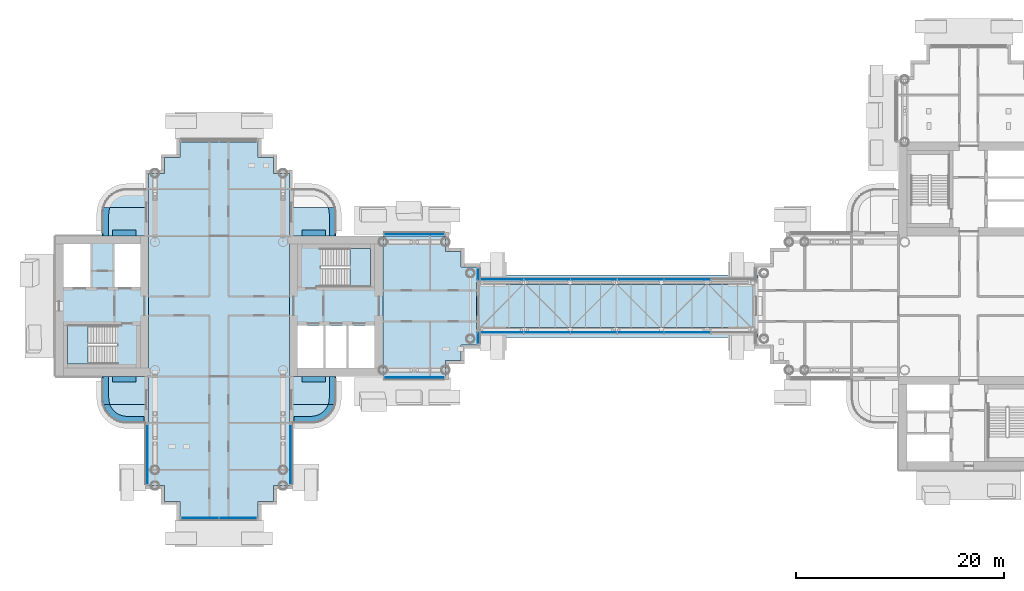
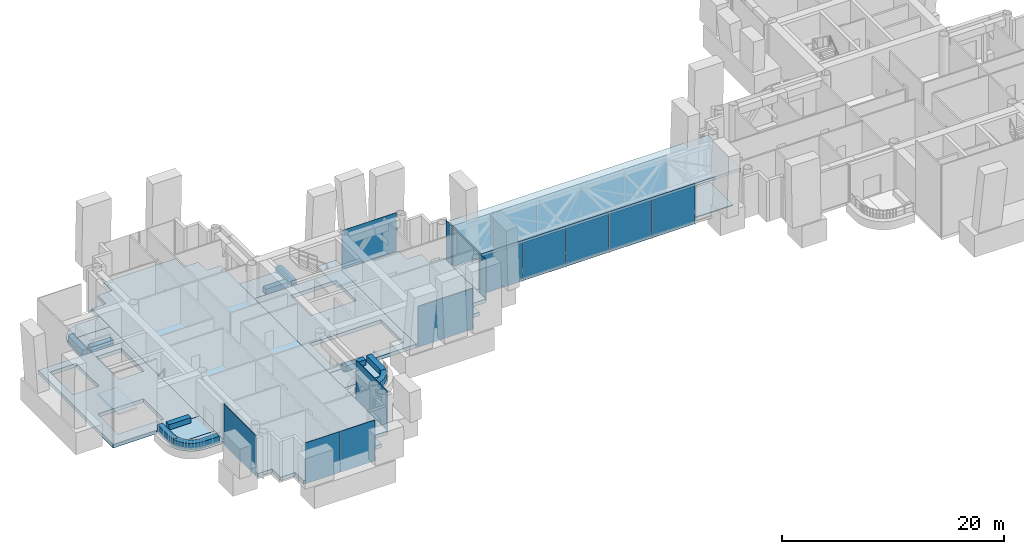
# One storey, part 9 of 26: 25 slabs, 18 plates, 11 elements without a shape of their own.
"""IFC4 building model written with IfcOpenShell, lengths in metres."""

from ifc_helpers import new_model, si_unit, direction, frame, origin, origin_2d, place, context, subcontext, project, spatial, polyline, rectangle, outline, extrude, material, layer, layer_set, type_object, element, aggregate, save


model = new_model("IFC4")

# Units and contexts
model_context = context("Model", 3, precision=1e-05, world=origin(), true_north=direction((0.0, 1.0)))
body_context = subcontext(model_context, "Body", "Model", "MODEL_VIEW")
ifc_project = project(units=[si_unit("LENGTHUNIT", "METRE"), si_unit("AREAUNIT", "SQUARE_METRE"), si_unit("VOLUMEUNIT", "CUBIC_METRE"), si_unit("PLANEANGLEUNIT", "RADIAN"), si_unit("MASSUNIT", "GRAM", prefix="KILO")], contexts=[model_context])

# Site, building, storey
site_placement = place(None, origin())
site = spatial("IfcSite", under=ifc_project, at=site_placement, CompositionType="ELEMENT")
building_placement = place(site_placement, origin())
building = spatial("IfcBuilding", under=site, at=building_placement, Name="Ipe Terrace Towers", CompositionType="ELEMENT")
storey_placement = place(building_placement, frame((0.0, 0.0, 181.300048828125)))
storey = spatial("IfcBuildingStorey", under=building, at=storey_placement, Name="L50", CompositionType="ELEMENT", Elevation=181.300048828125)

# Slabs
ifc_material_1 = material(Name="Concrete C30/37", Category="concrete")
ifc_layer_1 = layer(ifc_material_1, 0.199951171875)
ifc_layer_set_1 = layer_set([ifc_layer_1], Name="BALCONY SLAB 200")
slab_type_1 = type_object("IfcSlabType", Name="BALCONY SLAB 200", PredefinedType="FLOOR", material=ifc_layer_set_1)
slab_1_placement = place(storey_placement, frame((0.0, 0.0, -0.219970703125)))
element("IfcSlab", 1, at=slab_1_placement, inside=storey, type_object=slab_type_1, Name="balcony slab", PredefinedType="FLOOR", context=body_context, shape_type="SweptSolid", body=[
    extrude(outline(polyline([(-47.22900390625, -9.1630859375), (-47.172119140625, -9.449951171875), (-42.75, -9.449951171875), (-42.75, -6.75), (-47.25, -6.75), (-47.25, -8.85009765625), (-47.22900390625, -9.1630859375)])), origin(), (0.0, 0.0, 1.0), 0.199951171875),
])
slab_2_placement = place(storey_placement, frame((0.0, 0.0, -0.219970703125)))
element("IfcSlab", 2, at=slab_2_placement, inside=storey, type_object=slab_type_1, Name="balcony slab", PredefinedType="FLOOR", context=body_context, shape_type="SweptSolid", body=[
    extrude(outline(polyline([(-42.75, -11.25), (-42.75, -9.449951171875), (-47.172119140625, -9.449951171875), (-47.16796875, -9.470947265625), (-47.06689453125, -9.76806640625), (-46.927978515625, -10.050048828125), (-46.75390625, -10.31103515625), (-46.547119140625, -10.547119140625), (-46.31103515625, -10.75390625), (-46.050048828125, -10.927978515625), (-45.76806640625, -11.06689453125), (-45.470947265625, -11.16796875), (-45.1630859375, -11.22900390625), (-44.85009765625, -11.25), (-42.75, -11.25)])), origin(), (0.0, 0.0, 1.0), 0.199951171875),
])
slab_3_placement = place(storey_placement, frame((0.0, 0.0, -0.219970703125)))
element("IfcSlab", 3, at=slab_3_placement, inside=storey, type_object=slab_type_1, Name="balcony slab", PredefinedType="FLOOR", context=body_context, shape_type="SweptSolid", body=[
    extrude(outline(polyline([(-47.22900390625, 9.1630859375), (-47.25, 8.85009765625), (-47.25, 6.75), (-42.75, 6.75), (-42.75, 9.449951171875), (-47.172119140625, 9.449951171875), (-47.22900390625, 9.1630859375)])), origin(), (0.0, 0.0, 1.0), 0.199951171875),
])
slab_4_placement = place(storey_placement, frame((0.0, 0.0, -0.219970703125)))
element("IfcSlab", 4, at=slab_4_placement, inside=storey, type_object=slab_type_1, Name="balcony slab", PredefinedType="FLOOR", context=body_context, shape_type="SweptSolid", body=[
    extrude(outline(polyline([(-42.75, 11.25), (-44.85009765625, 11.25), (-45.1630859375, 11.22900390625), (-45.470947265625, 11.16796875), (-45.76806640625, 11.06689453125), (-46.050048828125, 10.927978515625), (-46.31103515625, 10.75390625), (-46.547119140625, 10.547119140625), (-46.75390625, 10.31103515625), (-46.927978515625, 10.050048828125), (-47.06689453125, 9.76806640625), (-47.16796875, 9.470947265625), (-47.172119140625, 9.449951171875), (-42.75, 9.449951171875), (-42.75, 11.25)])), origin(), (0.0, 0.0, 1.0), 0.199951171875),
])
slab_5_placement = place(storey_placement, frame((0.0, 0.0, -0.219970703125)))
element("IfcSlab", 5, at=slab_5_placement, inside=storey, type_object=slab_type_1, Name="balcony slab", PredefinedType="FLOOR", context=body_context, shape_type="SweptSolid", body=[
    extrude(outline(polyline([(-24.77099609375, -9.1630859375), (-24.75, -8.85009765625), (-24.75, -6.75), (-29.25, -6.75), (-29.25, -9.449951171875), (-24.827880859375, -9.449951171875), (-24.77099609375, -9.1630859375)])), origin(), (0.0, 0.0, 1.0), 0.199951171875),
])
slab_6_placement = place(storey_placement, frame((0.0, 0.0, -0.219970703125)))
element("IfcSlab", 6, at=slab_6_placement, inside=storey, type_object=slab_type_1, Name="balcony slab", PredefinedType="FLOOR", context=body_context, shape_type="SweptSolid", body=[
    extrude(outline(polyline([(-29.25, -11.25), (-27.14990234375, -11.25), (-26.8369140625, -11.22900390625), (-26.529052734375, -11.16796875), (-26.23193359375, -11.06689453125), (-25.949951171875, -10.927978515625), (-25.68896484375, -10.75390625), (-25.452880859375, -10.547119140625), (-25.24609375, -10.31103515625), (-25.072021484375, -10.050048828125), (-24.93310546875, -9.76806640625), (-24.83203125, -9.470947265625), (-24.827880859375, -9.449951171875), (-29.25, -9.449951171875), (-29.25, -11.25)])), origin(), (0.0, 0.0, 1.0), 0.199951171875),
])
slab_7_placement = place(storey_placement, frame((0.0, 0.0, -0.219970703125)))
element("IfcSlab", 7, at=slab_7_placement, inside=storey, type_object=slab_type_1, Name="balcony slab", PredefinedType="FLOOR", context=body_context, shape_type="SweptSolid", body=[
    extrude(outline(polyline([(-24.77099609375, 9.1630859375), (-24.827880859375, 9.449951171875), (-29.25, 9.449951171875), (-29.25, 6.75), (-24.75, 6.75), (-24.75, 8.85009765625), (-24.77099609375, 9.1630859375)])), origin(), (0.0, 0.0, 1.0), 0.199951171875),
])

# Curtain wall, plates
ifc_material_2 = material(Name="Aluminium alloy 6063-T6", Category="aluminium")
ifc_layer_2 = layer(ifc_material_2, 0.300048828125)
ifc_layer_set_2 = layer_set([ifc_layer_2], Name="BRIDGE ENCLOSURE CURTAIN WALL")
curtain_wall_type_1 = type_object("IfcCurtainWallType", Name="BRIDGE ENCLOSURE CURTAIN WALL", PredefinedType="NOTDEFINED", material=ifc_layer_set_2)
curtain_wall_1_placement = place(storey_placement, origin())
curtain_wall_1 = element("IfcCurtainWall", 8, at=curtain_wall_1_placement, inside=storey, type_object=curtain_wall_type_1, Name="BR3-CW1 curtain wall", PredefinedType="NOTDEFINED")
ifc_material_3 = material(Name="Glass, clear laminated", Category="glass")
ifc_layer_3 = layer(ifc_material_3, 0.035888671875)
ifc_layer_set_3 = layer_set([ifc_layer_3], Name="BRIDGE ENCLOSURE GLASS PANEL 36")
plate_type_1 = type_object("IfcPlateType", Name="BRIDGE ENCLOSURE GLASS PANEL 36", PredefinedType="CURTAIN_PANEL", material=ifc_layer_set_3)
plate_1_placement = place(storey_placement, frame((8.982421875, 2.544921875, -0.300048828125), z_axis=(0.0, 0.0, 1.0), x_axis=(-1.0, 0.0, 0.0)))
plate_1 = element("IfcPlate", 9, at=plate_1_placement, type_object=plate_type_1, Name="BR3-CW1 panel 2", PredefinedType="CURTAIN_PANEL", context=body_context, shape_type="SweptSolid", body=[
    extrude(rectangle(XDim=4.418212890625, YDim=0.035888671875, at=origin_2d()), origin(), (0.0, 0.0, 1.0), 4.5),
])
plate_2_placement = place(storey_placement, frame((4.494140625, 2.544921875, -0.300048828125), z_axis=(0.0, 0.0, 1.0), x_axis=(-1.0, 0.0, 0.0)))
plate_2 = element("IfcPlate", 10, at=plate_2_placement, type_object=plate_type_1, Name="BR3-CW1 panel 3", PredefinedType="CURTAIN_PANEL", context=body_context, shape_type="SweptSolid", body=[
    extrude(rectangle(XDim=4.418212890625, YDim=0.035888671875, at=origin_2d()), origin(), (0.0, 0.0, 1.0), 4.5),
])
plate_3_placement = place(storey_placement, frame((0.005859375, 2.544921875, -0.300048828125), z_axis=(0.0, 0.0, 1.0), x_axis=(-1.0, 0.0, 0.0)))
plate_3 = element("IfcPlate", 11, at=plate_3_placement, type_object=plate_type_1, Name="BR3-CW1 panel 4", PredefinedType="CURTAIN_PANEL", context=body_context, shape_type="SweptSolid", body=[
    extrude(rectangle(XDim=4.418212890625, YDim=0.035888671875, at=origin_2d()), origin(), (0.0, 0.0, 1.0), 4.5),
])
plate_4_placement = place(storey_placement, frame((-4.482421875, 2.544921875, -0.300048828125), z_axis=(0.0, 0.0, 1.0), x_axis=(-1.0, 0.0, 0.0)))
plate_4 = element("IfcPlate", 12, at=plate_4_placement, type_object=plate_type_1, Name="BR3-CW1 panel 5", PredefinedType="CURTAIN_PANEL", context=body_context, shape_type="SweptSolid", body=[
    extrude(rectangle(XDim=4.418212890625, YDim=0.035888671875, at=origin_2d()), origin(), (0.0, 0.0, 1.0), 4.5),
])
plate_5_placement = place(storey_placement, frame((-8.970947265625, 2.544921875, -0.300048828125), z_axis=(0.0, 0.0, 1.0), x_axis=(-1.0, 0.0, 0.0)))
plate_5 = element("IfcPlate", 13, at=plate_5_placement, type_object=plate_type_1, Name="BR3-CW1 panel 6", PredefinedType="CURTAIN_PANEL", context=body_context, shape_type="SweptSolid", body=[
    extrude(rectangle(XDim=4.418212890625, YDim=0.035888671875, at=origin_2d()), origin(), (0.0, 0.0, 1.0), 4.5),
])
aggregate(curtain_wall_1, [plate_1, plate_2, plate_3, plate_4, plate_5])

curtain_wall_2_placement = place(storey_placement, origin())
curtain_wall_2 = element("IfcCurtainWall", 14, at=curtain_wall_2_placement, inside=storey, type_object=curtain_wall_type_1, Name="BR3-CW2 curtain wall", PredefinedType="NOTDEFINED")
plate_6_placement = place(storey_placement, frame((-8.970947265625, -2.544921875, -0.300048828125), z_axis=(0.0, 0.0, 1.0), x_axis=(1.0, 0.0, 0.0)))
plate_6 = element("IfcPlate", 15, at=plate_6_placement, type_object=plate_type_1, Name="BR3-CW2 panel 1", PredefinedType="CURTAIN_PANEL", context=body_context, shape_type="SweptSolid", body=[
    extrude(rectangle(XDim=4.418212890625, YDim=0.035888671875, at=origin_2d()), origin(), (0.0, 0.0, 1.0), 4.5),
])
plate_7_placement = place(storey_placement, frame((-4.482421875, -2.544921875, -0.300048828125), z_axis=(0.0, 0.0, 1.0), x_axis=(1.0, 0.0, 0.0)))
plate_7 = element("IfcPlate", 16, at=plate_7_placement, type_object=plate_type_1, Name="BR3-CW2 panel 2", PredefinedType="CURTAIN_PANEL", context=body_context, shape_type="SweptSolid", body=[
    extrude(rectangle(XDim=4.418212890625, YDim=0.035888671875, at=origin_2d()), origin(), (0.0, 0.0, 1.0), 4.5),
])
plate_8_placement = place(storey_placement, frame((0.005859375, -2.544921875, -0.300048828125), z_axis=(0.0, 0.0, 1.0), x_axis=(1.0, 0.0, 0.0)))
plate_8 = element("IfcPlate", 17, at=plate_8_placement, type_object=plate_type_1, Name="BR3-CW2 panel 3", PredefinedType="CURTAIN_PANEL", context=body_context, shape_type="SweptSolid", body=[
    extrude(rectangle(XDim=4.418212890625, YDim=0.035888671875, at=origin_2d()), origin(), (0.0, 0.0, 1.0), 4.5),
])
plate_9_placement = place(storey_placement, frame((4.494140625, -2.544921875, -0.300048828125), z_axis=(0.0, 0.0, 1.0), x_axis=(1.0, 0.0, 0.0)))
plate_9 = element("IfcPlate", 18, at=plate_9_placement, type_object=plate_type_1, Name="BR3-CW2 panel 4", PredefinedType="CURTAIN_PANEL", context=body_context, shape_type="SweptSolid", body=[
    extrude(rectangle(XDim=4.418212890625, YDim=0.035888671875, at=origin_2d()), origin(), (0.0, 0.0, 1.0), 4.5),
])
plate_10_placement = place(storey_placement, frame((8.982421875, -2.544921875, -0.300048828125), z_axis=(0.0, 0.0, 1.0), x_axis=(1.0, 0.0, 0.0)))
plate_10 = element("IfcPlate", 19, at=plate_10_placement, type_object=plate_type_1, Name="BR3-CW2 panel 5", PredefinedType="CURTAIN_PANEL", context=body_context, shape_type="SweptSolid", body=[
    extrude(rectangle(XDim=4.418212890625, YDim=0.035888671875, at=origin_2d()), origin(), (0.0, 0.0, 1.0), 4.5),
])
aggregate(curtain_wall_2, [plate_6, plate_7, plate_8, plate_9, plate_10])

# Slabs
ifc_material_4 = material(Name="Concrete C30/37", Category="concrete")
ifc_layer_4 = layer(ifc_material_4, 0.300048828125)
ifc_layer_set_4 = layer_set([ifc_layer_4], Name="BRIDGE ROOF SLAB 300")
slab_type_2 = type_object("IfcSlabType", Name="BRIDGE ROOF SLAB 300", PredefinedType="ROOF", material=ifc_layer_set_4)
slab_8_placement = place(storey_placement, frame((0.0, 0.0, 4.199951171875)))
element("IfcSlab", 20, at=slab_8_placement, inside=storey, type_object=slab_type_2, Name="BR3 roof slab", PredefinedType="ROOF", context=body_context, shape_type="SweptSolid", body=[
    extrude(outline(polyline([(-11.25, -3.0), (15.75, -3.0), (15.75, 3.0), (-11.25, 3.0), (-11.25, -3.0)])), origin(), (0.0, 0.0, 1.0), 0.300048828125),
])
ifc_material_5 = material(Name="Concrete C30/37", Category="concrete")
ifc_layer_5 = layer(ifc_material_5, 0.1201171875)
ifc_layer_set_5 = layer_set([ifc_layer_5], Name="BRIDGE-DECK SLAB 120")
slab_type_3 = type_object("IfcSlabType", Name="BRIDGE-DECK SLAB 120", PredefinedType="FLOOR", material=ifc_layer_set_5)
slab_9_placement = place(storey_placement, frame((0.0, 0.0, -0.1201171875)))
element("IfcSlab", 21, at=slab_9_placement, inside=storey, type_object=slab_type_3, Name="BR3-DS bridge deck", PredefinedType="FLOOR", context=body_context, shape_type="SweptSolid", body=[
    extrude(outline(polyline([(-11.25, -2.050048828125), (15.449951171875, -2.050048828125), (15.449951171875, 2.050048828125), (-11.25, 2.050048828125), (-11.25, -2.050048828125)])), origin(), (0.0, 0.0, 1.0), 0.1201171875),
])
ifc_material_6 = material(Name="Concrete C30/37", Category="concrete")
ifc_layer_6 = layer(ifc_material_6, 0.39990234375)
ifc_layer_set_6 = layer_set([ifc_layer_6], Name="CORE FLOOR SLAB 400 C30-37")
slab_type_4 = type_object("IfcSlabType", Name="CORE FLOOR SLAB 400 C30-37", PredefinedType="FLOOR", material=ifc_layer_set_6)
slab_10_placement = place(storey_placement, frame((0.0, 0.0, -0.400146484375)))
element("IfcSlab", 22, at=slab_10_placement, inside=storey, type_object=slab_type_4, Name="Core floor T1-C1", PredefinedType="FLOOR", context=body_context, shape_type="SweptSolid", body=[
    extrude(outline(polyline([(-29.25, -6.75), (-29.25, 6.75), (-20.25, 6.75), (-20.25, -6.75), (-29.25, -6.75)]), holes=[polyline([(-28.449951171875, -5.949951171875), (-21.050048828125, -5.949951171875), (-21.050048828125, -1.85009765625), (-28.449951171875, -1.85009765625), (-28.449951171875, -5.949951171875)]), polyline([(-26.199951171875, 5.550048828125), (-26.199951171875, 1.89990234375), (-21.449951171875, 1.89990234375), (-21.449951171875, 5.550048828125), (-26.199951171875, 5.550048828125)])]), origin(), (0.0, 0.0, 1.0), 0.400146484375),
])
slab_11_placement = place(storey_placement, frame((0.0, 0.0, -0.400146484375)))
element("IfcSlab", 23, at=slab_11_placement, inside=storey, type_object=slab_type_4, Name="Core floor T1-C2", PredefinedType="FLOOR", context=body_context, shape_type="SweptSolid", body=[
    extrude(outline(polyline([(-51.75, -6.75), (-51.75, 6.75), (-42.75, 6.75), (-42.75, -6.75), (-51.75, -6.75)]), holes=[polyline([(-45.800048828125, -1.89990234375), (-50.550048828125, -1.89990234375), (-50.550048828125, -5.550048828125), (-45.800048828125, -5.550048828125), (-45.800048828125, -1.89990234375)]), polyline([(-48.25, 1.85009765625), (-48.25, 5.949951171875), (-50.949951171875, 5.949951171875), (-50.949951171875, 1.85009765625), (-48.25, 1.85009765625)]), polyline([(-43.550048828125, 1.85009765625), (-43.550048828125, 5.949951171875), (-46.14990234375, 5.949951171875), (-46.14990234375, 1.85009765625), (-43.550048828125, 1.85009765625)])]), origin(), (0.0, 0.0, 1.0), 0.400146484375),
])

# Stair, slab
ifc_material_7 = material(Name="Concrete C30/37", Category="concrete")
stair_type = type_object("IfcStairType", Name="Protected exit stair", PredefinedType="HALF_TURN_STAIR", material=ifc_material_7)
stair_1_placement = place(storey_placement, origin())
stair_1 = element("IfcStair", 24, at=stair_1_placement, inside=storey, type_object=stair_type, Name="L50 Exit stair T1-C1", PredefinedType="HALF_TURN_STAIR")
ifc_material_8 = material(Name="Concrete C30/37", Category="concrete")
ifc_layer_7 = layer(ifc_material_8, 0.199951171875)
ifc_layer_set_7 = layer_set([ifc_layer_7], Name="Exit stair landing 200")
slab_type_5 = type_object("IfcSlabType", Name="Exit stair landing 200", PredefinedType="LANDING", material=ifc_layer_set_7)
slab_12_placement = place(storey_placement, frame((0.0, 0.0, 2.050048828125)))
slab_12 = element("IfcSlab", 25, at=slab_12_placement, type_object=slab_type_5, Name="T1-ST1 landing 1", PredefinedType="LANDING", context=body_context, shape_type="SweptSolid", body=[
    extrude(outline(polyline([(-23.43994140625, 1.89990234375), (-21.449951171875, 1.89990234375), (-21.449951171875, 5.550048828125), (-23.43994140625, 5.550048828125), (-23.43994140625, 1.89990234375)])), origin(), (0.0, 0.0, 1.0), 0.199951171875),
])
aggregate(stair_1, [slab_12])

stair_2_placement = place(storey_placement, origin())
stair_2 = element("IfcStair", 26, at=stair_2_placement, inside=storey, type_object=stair_type, Name="L50 Exit stair T1-C2", PredefinedType="HALF_TURN_STAIR")
slab_13_placement = place(storey_placement, frame((0.0, 0.0, 2.050048828125)))
slab_13 = element("IfcSlab", 27, at=slab_13_placement, type_object=slab_type_5, Name="T1-ST2 landing 1", PredefinedType="LANDING", context=body_context, shape_type="SweptSolid", body=[
    extrude(outline(polyline([(-48.56005859375, -1.89990234375), (-50.550048828125, -1.89990234375), (-50.550048828125, -5.550048828125), (-48.56005859375, -5.550048828125), (-48.56005859375, -1.89990234375)])), origin(), (0.0, 0.0, 1.0), 0.199951171875),
])
aggregate(stair_2, [slab_13])

# Slabs
ifc_material_9 = material(Name="Concrete C40/50", Category="concrete")
ifc_layer_8 = layer(ifc_material_9, 0.39990234375)
ifc_layer_set_8 = layer_set([ifc_layer_8], Name="FLAT PLATE SLAB 400 C40-50")
slab_type_6 = type_object("IfcSlabType", Name="FLAT PLATE SLAB 400 C40-50", PredefinedType="FLOOR", material=ifc_layer_set_8)
slab_14_placement = place(storey_placement, frame((0.0, 0.0, -0.400146484375)))
element("IfcSlab", 28, at=slab_14_placement, inside=storey, type_object=slab_type_6, Name="Slab T1-FS-Z31", PredefinedType="FLOOR", context=body_context, shape_type="SweptSolid", body=[
    extrude(outline(polyline([(-30.75, -17.25), (-30.75, -18.75), (-32.25, -18.75), (-32.25, -20.25), (-39.75, -20.25), (-39.75, -18.75), (-41.25, -18.75), (-41.25, -17.25), (-42.75, -17.25), (-42.75, -6.75), (-42.75, 6.75), (-42.75, 12.75), (-41.25, 12.75), (-41.25, 14.25), (-39.75, 14.25), (-39.75, 15.75), (-32.25, 15.75), (-32.25, 14.25), (-30.75, 14.25), (-30.75, 12.75), (-29.25, 12.75), (-29.25, 6.75), (-29.25, -6.75), (-29.25, -17.25), (-30.75, -17.25)])), origin(), (0.0, 0.0, 1.0), 0.400146484375),
])
slab_15_placement = place(storey_placement, frame((0.0, 0.0, -0.400146484375)))
element("IfcSlab", 29, at=slab_15_placement, inside=storey, type_object=slab_type_6, Name="Slab T1-FS-Z32", PredefinedType="FLOOR", context=body_context, shape_type="SweptSolid", body=[
    extrude(outline(polyline([(-14.25, 5.25), (-12.75, 5.25), (-12.75, 3.75), (-11.25, 3.75), (-11.25, -3.75), (-12.75, -3.75), (-12.75, -5.25), (-14.25, -5.25), (-14.25, -6.75), (-20.25, -6.75), (-20.25, 6.75), (-14.25, 6.75), (-14.25, 5.25)])), origin(), (0.0, 0.0, 1.0), 0.400146484375),
])
ifc_material_10 = material(Name="Concrete C30/37", Category="concrete")
ifc_layer_9 = layer(ifc_material_10, 0.60009765625)
ifc_layer_set_9 = layer_set([ifc_layer_9], Name="PLANTER TROUGH 550 x 600")
slab_type_7 = type_object("IfcSlabType", Name="PLANTER TROUGH 550 x 600", PredefinedType="USERDEFINED", material=ifc_layer_set_9)
slab_16_placement = place(storey_placement, frame((0.0, 0.0, -0.02001953125)))
element("IfcSlab", 30, at=slab_16_placement, inside=storey, type_object=slab_type_7, Name="planter", ObjectType="PLANTER", PredefinedType="USERDEFINED", context=body_context, shape_type="SweptSolid", body=[
    extrude(outline(polyline([(-46.529052734375, -9.300048828125), (-46.573974609375, -9.076904296875), (-46.590087890625, -8.827880859375), (-46.590087890625, -6.75), (-47.139892578125, -6.75), (-47.139892578125, -8.8369140625), (-47.138916015625, -8.85498046875), (-47.12109375, -9.131103515625), (-47.116943359375, -9.1669921875), (-47.06494140625, -9.425048828125), (-47.05908203125, -9.449951171875), (-46.47802734375, -9.449951171875), (-46.529052734375, -9.300048828125)])), origin(), (0.0, 0.0, 1.0), 0.599853515625),
])
slab_17_placement = place(storey_placement, frame((0.0, 0.0, -0.02001953125)))
element("IfcSlab", 31, at=slab_17_placement, inside=storey, type_object=slab_type_7, Name="planter", ObjectType="PLANTER", PredefinedType="USERDEFINED", context=body_context, shape_type="SweptSolid", body=[
    extrude(outline(polyline([(-46.4560546875, -9.514892578125), (-46.47802734375, -9.449951171875), (-47.05908203125, -9.449951171875), (-47.055908203125, -9.4599609375), (-46.970947265625, -9.708984375), (-46.95703125, -9.741943359375), (-46.841064453125, -9.97900390625), (-46.822998046875, -10.010009765625), (-46.677001953125, -10.22900390625), (-46.655029296875, -10.257080078125), (-46.48095703125, -10.4560546875), (-46.4560546875, -10.48095703125), (-46.257080078125, -10.655029296875), (-46.22900390625, -10.677001953125), (-46.010009765625, -10.822998046875), (-45.97900390625, -10.841064453125), (-45.741943359375, -10.95703125), (-45.708984375, -10.970947265625), (-45.4599609375, -11.055908203125), (-45.425048828125, -11.06494140625), (-45.1669921875, -11.116943359375), (-45.131103515625, -11.12109375), (-44.85498046875, -11.138916015625), (-44.8369140625, -11.139892578125), (-43.199951171875, -11.139892578125), (-43.199951171875, -10.590087890625), (-44.827880859375, -10.590087890625), (-45.076904296875, -10.573974609375), (-45.300048828125, -10.529052734375), (-45.514892578125, -10.4560546875), (-45.718994140625, -10.35595703125), (-45.907958984375, -10.22900390625), (-46.0791015625, -10.0791015625), (-46.22900390625, -9.907958984375), (-46.35595703125, -9.718994140625), (-46.4560546875, -9.514892578125)])), origin(), (0.0, 0.0, 1.0), 0.599853515625),
])
slab_18_placement = place(storey_placement, frame((0.0, 0.0, -0.02001953125)))
element("IfcSlab", 32, at=slab_18_placement, inside=storey, type_object=slab_type_7, Name="planter", ObjectType="PLANTER", PredefinedType="USERDEFINED", context=body_context, shape_type="SweptSolid", body=[
    extrude(outline(polyline([(-43.949951171875, -6.75), (-46.25, -6.75), (-46.25, -7.300048828125), (-43.949951171875, -7.300048828125), (-43.949951171875, -6.75)])), origin(), (0.0, 0.0, 1.0), 0.599853515625),
])
slab_19_placement = place(storey_placement, frame((0.0, 0.0, -0.02001953125)))
element("IfcSlab", 33, at=slab_19_placement, inside=storey, type_object=slab_type_7, Name="planter", ObjectType="PLANTER", PredefinedType="USERDEFINED", context=body_context, shape_type="SweptSolid", body=[
    extrude(outline(polyline([(-46.529052734375, 9.300048828125), (-46.47802734375, 9.449951171875), (-47.05908203125, 9.449951171875), (-47.06494140625, 9.425048828125), (-47.116943359375, 9.1669921875), (-47.12109375, 9.131103515625), (-47.138916015625, 8.85498046875), (-47.139892578125, 8.8369140625), (-47.139892578125, 6.75), (-46.590087890625, 6.75), (-46.590087890625, 8.827880859375), (-46.573974609375, 9.076904296875), (-46.529052734375, 9.300048828125)])), origin(), (0.0, 0.0, 1.0), 0.599853515625),
])
slab_20_placement = place(storey_placement, frame((0.0, 0.0, -0.02001953125)))
element("IfcSlab", 34, at=slab_20_placement, inside=storey, type_object=slab_type_7, Name="planter", ObjectType="PLANTER", PredefinedType="USERDEFINED", context=body_context, shape_type="SweptSolid", body=[
    extrude(outline(polyline([(-43.949951171875, 6.75), (-43.949951171875, 7.300048828125), (-46.25, 7.300048828125), (-46.25, 6.75), (-43.949951171875, 6.75)])), origin(), (0.0, 0.0, 1.0), 0.599853515625),
])
slab_21_placement = place(storey_placement, frame((0.0, 0.0, -0.02001953125)))
element("IfcSlab", 35, at=slab_21_placement, inside=storey, type_object=slab_type_7, Name="planter", ObjectType="PLANTER", PredefinedType="USERDEFINED", context=body_context, shape_type="SweptSolid", body=[
    extrude(outline(polyline([(-25.470947265625, -9.300048828125), (-25.52197265625, -9.449951171875), (-24.94091796875, -9.449951171875), (-24.93505859375, -9.425048828125), (-24.883056640625, -9.1669921875), (-24.87890625, -9.131103515625), (-24.861083984375, -8.85498046875), (-24.860107421875, -8.8369140625), (-24.860107421875, -6.75), (-25.409912109375, -6.75), (-25.409912109375, -8.827880859375), (-25.426025390625, -9.076904296875), (-25.470947265625, -9.300048828125)])), origin(), (0.0, 0.0, 1.0), 0.599853515625),
])
slab_22_placement = place(storey_placement, frame((0.0, 0.0, -0.02001953125)))
element("IfcSlab", 36, at=slab_22_placement, inside=storey, type_object=slab_type_7, Name="planter", ObjectType="PLANTER", PredefinedType="USERDEFINED", context=body_context, shape_type="SweptSolid", body=[
    extrude(outline(polyline([(-25.5439453125, -9.514892578125), (-25.64404296875, -9.718994140625), (-25.77099609375, -9.907958984375), (-25.9208984375, -10.0791015625), (-26.092041015625, -10.22900390625), (-26.281005859375, -10.35595703125), (-26.485107421875, -10.4560546875), (-26.699951171875, -10.529052734375), (-26.923095703125, -10.573974609375), (-27.172119140625, -10.590087890625), (-28.800048828125, -10.590087890625), (-28.800048828125, -11.139892578125), (-27.1630859375, -11.139892578125), (-27.14501953125, -11.138916015625), (-26.868896484375, -11.12109375), (-26.8330078125, -11.116943359375), (-26.574951171875, -11.06494140625), (-26.5400390625, -11.055908203125), (-26.291015625, -10.970947265625), (-26.258056640625, -10.95703125), (-26.02099609375, -10.841064453125), (-25.989990234375, -10.822998046875), (-25.77099609375, -10.677001953125), (-25.742919921875, -10.655029296875), (-25.5439453125, -10.48095703125), (-25.51904296875, -10.4560546875), (-25.344970703125, -10.257080078125), (-25.322998046875, -10.22900390625), (-25.177001953125, -10.010009765625), (-25.158935546875, -9.97900390625), (-25.04296875, -9.741943359375), (-25.029052734375, -9.708984375), (-24.944091796875, -9.4599609375), (-24.94091796875, -9.449951171875), (-25.52197265625, -9.449951171875), (-25.5439453125, -9.514892578125)])), origin(), (0.0, 0.0, 1.0), 0.599853515625),
])
slab_23_placement = place(storey_placement, frame((0.0, 0.0, -0.02001953125)))
element("IfcSlab", 37, at=slab_23_placement, inside=storey, type_object=slab_type_7, Name="planter", ObjectType="PLANTER", PredefinedType="USERDEFINED", context=body_context, shape_type="SweptSolid", body=[
    extrude(outline(polyline([(-28.050048828125, -6.75), (-28.050048828125, -7.300048828125), (-25.75, -7.300048828125), (-25.75, -6.75), (-28.050048828125, -6.75)])), origin(), (0.0, 0.0, 1.0), 0.599853515625),
])
slab_24_placement = place(storey_placement, frame((0.0, 0.0, -0.02001953125)))
element("IfcSlab", 38, at=slab_24_placement, inside=storey, type_object=slab_type_7, Name="planter", ObjectType="PLANTER", PredefinedType="USERDEFINED", context=body_context, shape_type="SweptSolid", body=[
    extrude(outline(polyline([(-25.470947265625, 9.300048828125), (-25.426025390625, 9.076904296875), (-25.409912109375, 8.827880859375), (-25.409912109375, 6.75), (-24.860107421875, 6.75), (-24.860107421875, 8.8369140625), (-24.861083984375, 8.85498046875), (-24.87890625, 9.131103515625), (-24.883056640625, 9.1669921875), (-24.93505859375, 9.425048828125), (-24.94091796875, 9.449951171875), (-25.52197265625, 9.449951171875), (-25.470947265625, 9.300048828125)])), origin(), (0.0, 0.0, 1.0), 0.599853515625),
])
slab_25_placement = place(storey_placement, frame((0.0, 0.0, -0.02001953125)))
element("IfcSlab", 39, at=slab_25_placement, inside=storey, type_object=slab_type_7, Name="planter", ObjectType="PLANTER", PredefinedType="USERDEFINED", context=body_context, shape_type="SweptSolid", body=[
    extrude(outline(polyline([(-28.050048828125, 6.75), (-25.75, 6.75), (-25.75, 7.300048828125), (-28.050048828125, 7.300048828125), (-28.050048828125, 6.75)])), origin(), (0.0, 0.0, 1.0), 0.599853515625),
])

# Curtain wall, plates
ifc_material_11 = material(Name="Aluminium alloy 6063-T6", Category="aluminium")
ifc_layer_10 = layer(ifc_material_11, 0.320068359375)
ifc_layer_set_10 = layer_set([ifc_layer_10], Name="REFUGE FLOOR CURTAIN WALL")
curtain_wall_type_2 = type_object("IfcCurtainWallType", Name="REFUGE FLOOR CURTAIN WALL", PredefinedType="NOTDEFINED", material=ifc_layer_set_10)
curtain_wall_3_placement = place(storey_placement, origin())
curtain_wall_3 = element("IfcCurtainWall", 40, at=curtain_wall_3_placement, inside=storey, type_object=curtain_wall_type_2, Name="T1-CW-L50-08a curtain wall", PredefinedType="NOTDEFINED")
ifc_material_12 = material(Name="Glass, clear laminated", Category="glass")
ifc_layer_11 = layer(ifc_material_12, 0.035888671875)
ifc_layer_set_11 = layer_set([ifc_layer_11], Name="REFUGE FLOOR GLASS PANEL 36")
plate_type_2 = type_object("IfcPlateType", Name="REFUGE FLOOR GLASS PANEL 36", PredefinedType="CURTAIN_PANEL", material=ifc_layer_set_11)
plate_11_placement = place(storey_placement, frame((-37.82373046875, -20.3701171875, -0.300048828125), z_axis=(0.0, 0.0, 1.0), x_axis=(1.0, 0.0, 0.0)))
plate_11 = element("IfcPlate", 41, at=plate_11_placement, type_object=plate_type_2, Name="T1-CW-L50-08a panel 1", PredefinedType="CURTAIN_PANEL", context=body_context, shape_type="SweptSolid", body=[
    extrude(rectangle(XDim=3.572509765625, YDim=0.035888671875, at=origin_2d()), origin(), (0.0, 0.0, 1.0), 4.5),
])
plate_12_placement = place(storey_placement, frame((-34.17626953125, -20.3701171875, -0.300048828125), z_axis=(0.0, 0.0, 1.0), x_axis=(1.0, 0.0, 0.0)))
plate_12 = element("IfcPlate", 42, at=plate_12_placement, type_object=plate_type_2, Name="T1-CW-L50-08a panel 2", PredefinedType="CURTAIN_PANEL", context=body_context, shape_type="SweptSolid", body=[
    extrude(rectangle(XDim=3.572509765625, YDim=0.035888671875, at=origin_2d()), origin(), (0.0, 0.0, 1.0), 4.5),
])
aggregate(curtain_wall_3, [plate_11, plate_12])

# Curtain wall, plate
curtain_wall_4_placement = place(storey_placement, origin())
curtain_wall_4 = element("IfcCurtainWall", 43, at=curtain_wall_4_placement, inside=storey, type_object=curtain_wall_type_2, Name="T1-CW-L50-21a curtain wall", PredefinedType="NOTDEFINED")
plate_13_placement = place(storey_placement, frame((-11.1298828125, -3.0, -0.300048828125), z_axis=(0.0, 0.0, 1.0), x_axis=(0.0, 1.0, 0.0)))
plate_13 = element("IfcPlate", 44, at=plate_13_placement, type_object=plate_type_2, Name="T1-CW-L50-21a panel 1", PredefinedType="CURTAIN_PANEL", context=body_context, shape_type="SweptSolid", body=[
    extrude(rectangle(XDim=1.219970703125, YDim=0.035888671875, at=origin_2d()), origin(), (0.0, 0.0, 1.0), 4.5),
])
aggregate(curtain_wall_4, [plate_13])

curtain_wall_5_placement = place(storey_placement, origin())
curtain_wall_5 = element("IfcCurtainWall", 45, at=curtain_wall_5_placement, inside=storey, type_object=curtain_wall_type_2, Name="T1-CW-L50-21c curtain wall", PredefinedType="NOTDEFINED")
plate_14_placement = place(storey_placement, frame((-11.1298828125, 3.0, -0.300048828125), z_axis=(0.0, 0.0, 1.0), x_axis=(0.0, 1.0, 0.0)))
plate_14 = element("IfcPlate", 46, at=plate_14_placement, type_object=plate_type_2, Name="T1-CW-L50-21c panel 1", PredefinedType="CURTAIN_PANEL", context=body_context, shape_type="SweptSolid", body=[
    extrude(rectangle(XDim=1.219970703125, YDim=0.035888671875, at=origin_2d()), origin(), (0.0, 0.0, 1.0), 4.5),
])
aggregate(curtain_wall_5, [plate_14])

curtain_wall_6_placement = place(storey_placement, origin())
curtain_wall_6 = element("IfcCurtainWall", 47, at=curtain_wall_6_placement, inside=storey, type_object=curtain_wall_type_2, Name="T1-CW-L50-03a curtain wall", PredefinedType="NOTDEFINED")
ifc_material_13 = material(Name="Insulated spandrel panel, stone-effect cladding", Category="masonry")
ifc_layer_12 = layer(ifc_material_13, 0.035888671875)
ifc_layer_set_12 = layer_set([ifc_layer_12], Name="REFUGE FLOOR SPANDREL PANEL 36")
plate_type_3 = type_object("IfcPlateType", Name="REFUGE FLOOR SPANDREL PANEL 36", PredefinedType="CURTAIN_PANEL", material=ifc_layer_set_12)
plate_15_placement = place(storey_placement, frame((-42.8701171875, -14.25, -0.300048828125), z_axis=(0.0, 0.0, 1.0), x_axis=(0.0, -1.0, 0.0)))
plate_15 = element("IfcPlate", 48, at=plate_15_placement, type_object=plate_type_3, Name="T1-CW-L50-03a panel 1", PredefinedType="CURTAIN_PANEL", context=body_context, shape_type="SweptSolid", body=[
    extrude(rectangle(XDim=5.719970703125, YDim=0.035888671875, at=origin_2d()), origin(), (0.0, 0.0, 1.0), 4.5),
])
aggregate(curtain_wall_6, [plate_15])

curtain_wall_7_placement = place(storey_placement, origin())
curtain_wall_7 = element("IfcCurtainWall", 49, at=curtain_wall_7_placement, inside=storey, type_object=curtain_wall_type_2, Name="T1-CW-L50-13a curtain wall", PredefinedType="NOTDEFINED")
plate_16_placement = place(storey_placement, frame((-29.1298828125, -14.25, -0.300048828125), z_axis=(0.0, 0.0, 1.0), x_axis=(0.0, 1.0, 0.0)))
plate_16 = element("IfcPlate", 50, at=plate_16_placement, type_object=plate_type_3, Name="T1-CW-L50-13a panel 1", PredefinedType="CURTAIN_PANEL", context=body_context, shape_type="SweptSolid", body=[
    extrude(rectangle(XDim=5.719970703125, YDim=0.035888671875, at=origin_2d()), origin(), (0.0, 0.0, 1.0), 4.5),
])
aggregate(curtain_wall_7, [plate_16])

curtain_wall_8_placement = place(storey_placement, origin())
curtain_wall_8 = element("IfcCurtainWall", 51, at=curtain_wall_8_placement, inside=storey, type_object=curtain_wall_type_2, Name="T1-CW-L50-16b curtain wall", PredefinedType="NOTDEFINED")
plate_17_placement = place(storey_placement, frame((-17.24951171875, -6.8701171875, -0.300048828125), z_axis=(0.0, 0.0, 1.0), x_axis=(1.0, 0.0, 0.0)))
plate_17 = element("IfcPlate", 52, at=plate_17_placement, type_object=plate_type_3, Name="T1-CW-L50-16b panel 1", PredefinedType="CURTAIN_PANEL", context=body_context, shape_type="SweptSolid", body=[
    extrude(rectangle(XDim=5.718994140625, YDim=0.035888671875, at=origin_2d()), origin(), (0.0, 0.0, 1.0), 4.5),
])
aggregate(curtain_wall_8, [plate_17])

curtain_wall_9_placement = place(storey_placement, origin())
curtain_wall_9 = element("IfcCurtainWall", 53, at=curtain_wall_9_placement, inside=storey, type_object=curtain_wall_type_2, Name="T1-CW-L50-26a curtain wall", PredefinedType="NOTDEFINED")
plate_18_placement = place(storey_placement, frame((-17.24951171875, 6.8701171875, -0.300048828125), z_axis=(0.0, 0.0, 1.0), x_axis=(-1.0, 0.0, 0.0)))
plate_18 = element("IfcPlate", 54, at=plate_18_placement, type_object=plate_type_3, Name="T1-CW-L50-26a panel 1", PredefinedType="CURTAIN_PANEL", context=body_context, shape_type="SweptSolid", body=[
    extrude(rectangle(XDim=5.718994140625, YDim=0.035888671875, at=origin_2d()), origin(), (0.0, 0.0, 1.0), 4.5),
])
aggregate(curtain_wall_9, [plate_18])

save(model, "model.ifc")
